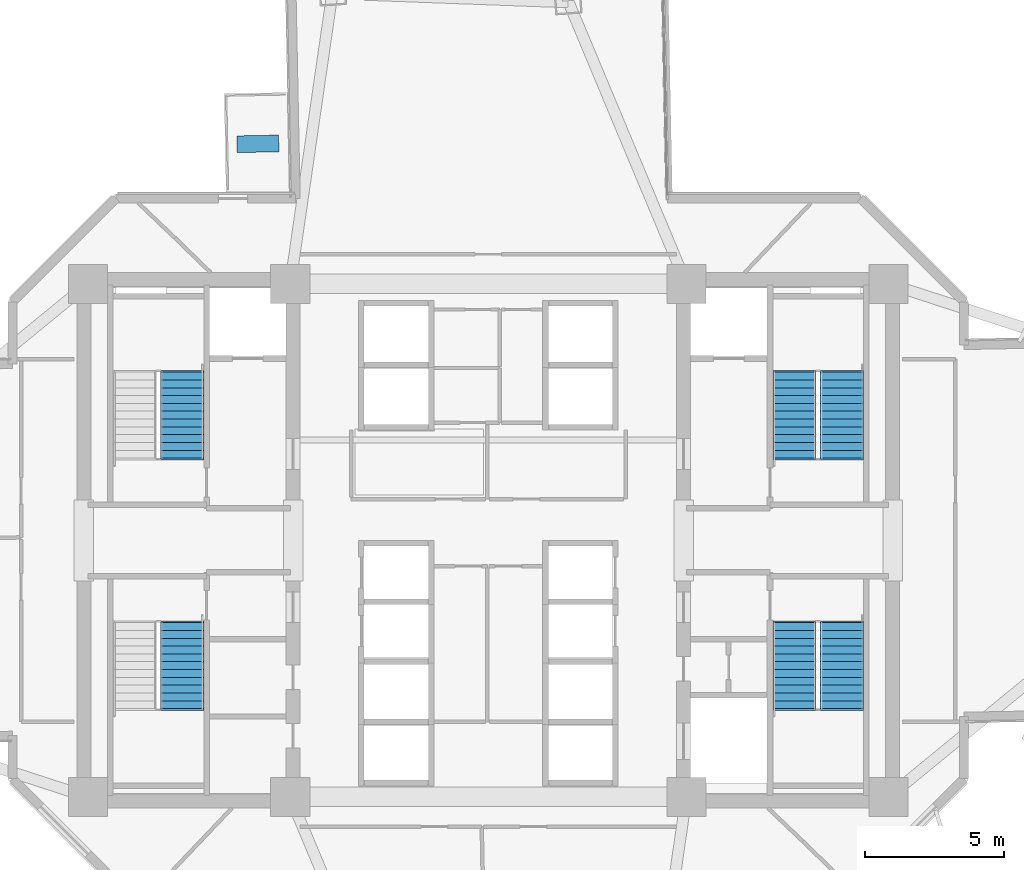
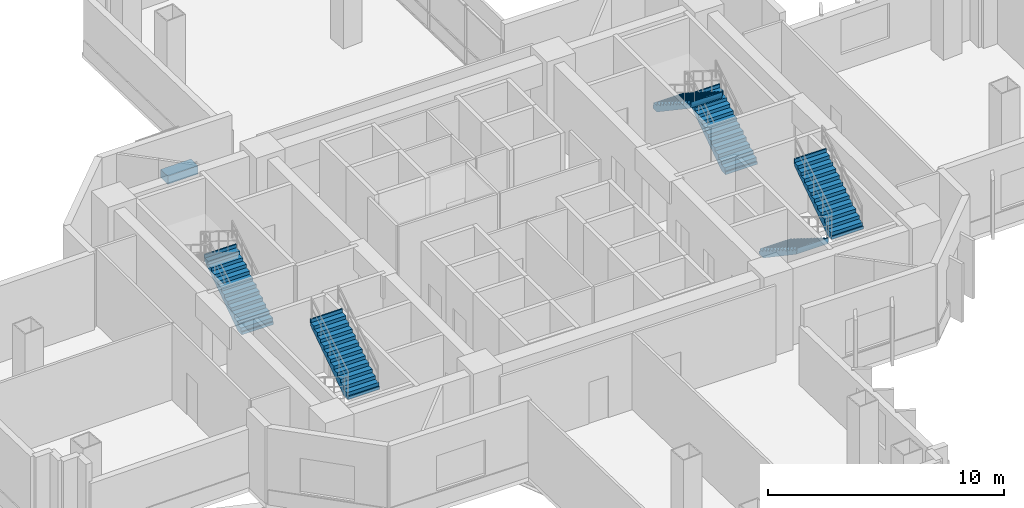
# One storey, part 10 of 15: 6 stair flights, 1 discrete accessory, 4 elements without a shape of their own.
"""IFC4 building model written with IfcOpenShell, lengths in metres."""

from ifc_helpers import new_model, si_unit, direction, frame, origin, origin_2d, place, context, subcontext, project, spatial, polyline, rectangle, outline, extrude, source, transform, mapped, material, type_object, element, aggregate, save


model = new_model("IFC4")

# Units and contexts
model_context = context("Model", 3, precision=1e-05, world=origin(), true_north=direction((0.0, 1.0)))
body_context = subcontext(model_context, "Body", "Model", "MODEL_VIEW")
ifc_project = project(units=[si_unit("LENGTHUNIT", "METRE"), si_unit("AREAUNIT", "SQUARE_METRE"), si_unit("VOLUMEUNIT", "CUBIC_METRE"), si_unit("PLANEANGLEUNIT", "RADIAN"), si_unit("MASSUNIT", "GRAM", prefix="KILO")], contexts=[model_context])

# Site, building, storey
site_placement = place(None, origin())
site = spatial("IfcSite", under=ifc_project, at=site_placement, CompositionType="ELEMENT")
building_placement = place(site_placement, origin())
building = spatial("IfcBuilding", under=site, at=building_placement, Name="Zahravan Cultural Tower", CompositionType="ELEMENT")
storey_placement = place(building_placement, frame((0.0, 0.0, 50.10009765625)))
storey = spatial("IfcBuildingStorey", under=building, at=storey_placement, Name="L10", CompositionType="ELEMENT", Elevation=50.10009765625)

# Stair, stair flight
ifc_material_1 = material(Name="Concrete C45/55", Category="concrete")
stair_type = type_object("IfcStairType", Name="STR-DL-1550-420", PredefinedType="HALF_TURN_STAIR", material=ifc_material_1)
stair_1_placement = place(storey_placement, origin())
stair_1 = element("IfcStair", 1, at=stair_1_placement, inside=storey, type_object=stair_type, Name="L10 West Core North Exit Stair ST-W1", PredefinedType="HALF_TURN_STAIR")
stair_flight_type = type_object("IfcStairFlightType", Name="FLG-DL-1550-420", PredefinedType="STRAIGHT", material=ifc_material_1)
stair_flight_1_placement = place(storey_placement, frame((25.02490234375, 29.949951171875, 0.0), z_axis=(0.0, 0.0, 1.0), x_axis=(0.0, 1.0, 0.0)))
stair_flight_1 = element("IfcStairFlight", 2, at=stair_flight_1_placement, type_object=stair_flight_type, Name="ST-W1 flight 1", NumberOfRisers=12, NumberOfTreads=11, PredefinedType="STRAIGHT", RiserHeight=0.175, TreadLength=0.28, context=body_context, shape_type="SweptSolid", body=[
    extrude(outline(polyline([(-0.06494140625, -0.139892578125), (-0.06494140625, 0.0), (0.0, 0.0), (0.0, 0.175048828125), (0.280029296875, 0.175048828125), (0.280029296875, 0.35009765625), (0.56005859375, 0.35009765625), (0.56005859375, 0.52490234375), (0.840087890625, 0.52490234375), (0.840087890625, 0.699951171875), (1.1201171875, 0.699951171875), (1.1201171875, 0.875), (1.39990234375, 0.875), (1.39990234375, 1.050048828125), (1.679931640625, 1.050048828125), (1.679931640625, 1.22509765625), (1.9599609375, 1.22509765625), (1.9599609375, 1.39990234375), (2.239990234375, 1.39990234375), (2.239990234375, 1.574951171875), (2.52001953125, 1.574951171875), (2.52001953125, 1.75), (2.800048828125, 1.75), (2.800048828125, 1.925048828125), (3.080078125, 1.925048828125), (3.080078125, 2.10009765625), (3.14501953125, 2.10009765625), (3.14501953125, 1.9501953125), (3.080078125, 1.748291015625), (0.28271484375, -0.139892578125), (-0.06494140625, -0.139892578125)])), frame((0.0, 0.77490234375, 0.0), z_axis=(0.0, -1.0, 0.0), x_axis=(1.0, 0.0, 0.0)), (0.0, 0.0, 1.0), 1.550048828125),
])
aggregate(stair_1, [stair_flight_1])

stair_2_placement = place(storey_placement, origin())
stair_2 = element("IfcStair", 3, at=stair_2_placement, inside=storey, type_object=stair_type, Name="L10 West Core South Exit Stair ST-W2", PredefinedType="HALF_TURN_STAIR")
stair_flight_2_placement = place(storey_placement, frame((25.02490234375, 20.969970703125, 2.099853515625), z_axis=(0.0, 0.0, 1.0), x_axis=(0.0, 1.0, 0.0)))
stair_flight_2 = element("IfcStairFlight", 4, at=stair_flight_2_placement, type_object=stair_flight_type, Name="ST-W2 flight 2", NumberOfRisers=12, NumberOfTreads=11, PredefinedType="STRAIGHT", RiserHeight=0.175, TreadLength=0.28, context=body_context, shape_type="SweptSolid", body=[
    extrude(outline(polyline([(-0.06494140625, -0.139892578125), (-0.06494140625, 0.0), (0.0, 0.0), (0.0, 0.175048828125), (0.280029296875, 0.175048828125), (0.280029296875, 0.35009765625), (0.56005859375, 0.35009765625), (0.56005859375, 0.52490234375), (0.840087890625, 0.52490234375), (0.840087890625, 0.699951171875), (1.1201171875, 0.699951171875), (1.1201171875, 0.875), (1.39990234375, 0.875), (1.39990234375, 1.050048828125), (1.679931640625, 1.050048828125), (1.679931640625, 1.22509765625), (1.9599609375, 1.22509765625), (1.9599609375, 1.39990234375), (2.239990234375, 1.39990234375), (2.239990234375, 1.574951171875), (2.52001953125, 1.574951171875), (2.52001953125, 1.75), (2.800048828125, 1.75), (2.800048828125, 1.925048828125), (3.080078125, 1.925048828125), (3.080078125, 2.10009765625), (3.14501953125, 2.10009765625), (3.14501953125, 1.9501953125), (3.080078125, 1.748291015625), (0.28271484375, -0.139892578125), (-0.06494140625, -0.139892578125)])), frame((0.0, 0.77490234375, 0.0), z_axis=(0.0, -1.0, 0.0), x_axis=(1.0, 0.0, 0.0)), (0.0, 0.0, 1.0), 1.550048828125),
])
aggregate(stair_2, [stair_flight_2])

# Stair, stair flights
stair_3_placement = place(storey_placement, origin())
stair_3 = element("IfcStair", 5, at=stair_3_placement, inside=storey, type_object=stair_type, Name="L10 East Core North Exit Stair ST-E1", PredefinedType="HALF_TURN_STAIR")
stair_flight_3_placement = place(storey_placement, frame((48.675048828125, 29.949951171875, 0.0), z_axis=(0.0, 0.0, 1.0), x_axis=(0.0, 1.0, 0.0)))
stair_flight_3 = element("IfcStairFlight", 6, at=stair_flight_3_placement, type_object=stair_flight_type, Name="ST-E1 flight 1", NumberOfRisers=12, NumberOfTreads=11, PredefinedType="STRAIGHT", RiserHeight=0.175, TreadLength=0.28, context=body_context, shape_type="SweptSolid", body=[
    extrude(outline(polyline([(-0.06494140625, -0.139892578125), (-0.06494140625, 0.0), (0.0, 0.0), (0.0, 0.175048828125), (0.280029296875, 0.175048828125), (0.280029296875, 0.35009765625), (0.56005859375, 0.35009765625), (0.56005859375, 0.52490234375), (0.840087890625, 0.52490234375), (0.840087890625, 0.699951171875), (1.1201171875, 0.699951171875), (1.1201171875, 0.875), (1.39990234375, 0.875), (1.39990234375, 1.050048828125), (1.679931640625, 1.050048828125), (1.679931640625, 1.22509765625), (1.9599609375, 1.22509765625), (1.9599609375, 1.39990234375), (2.239990234375, 1.39990234375), (2.239990234375, 1.574951171875), (2.52001953125, 1.574951171875), (2.52001953125, 1.75), (2.800048828125, 1.75), (2.800048828125, 1.925048828125), (3.080078125, 1.925048828125), (3.080078125, 2.10009765625), (3.14501953125, 2.10009765625), (3.14501953125, 1.9501953125), (3.080078125, 1.748291015625), (0.28271484375, -0.139892578125), (-0.06494140625, -0.139892578125)])), frame((0.0, 0.77490234375, 0.0), z_axis=(0.0, -1.0, 0.0), x_axis=(1.0, 0.0, 0.0)), (0.0, 0.0, 1.0), 1.550048828125),
])
stair_flight_4_placement = place(storey_placement, frame((46.97509765625, 33.030029296875, 2.099853515625), z_axis=(0.0, 0.0, 1.0), x_axis=(0.0, -1.0, 0.0)))
stair_flight_4 = element("IfcStairFlight", 7, at=stair_flight_4_placement, type_object=stair_flight_type, Name="ST-E1 flight 2", NumberOfRisers=12, NumberOfTreads=11, PredefinedType="STRAIGHT", RiserHeight=0.175, TreadLength=0.28, context=body_context, shape_type="SweptSolid", body=[
    extrude(outline(polyline([(-0.06494140625, -0.139892578125), (-0.06494140625, 0.0), (0.0, 0.0), (0.0, 0.175048828125), (0.280029296875, 0.175048828125), (0.280029296875, 0.35009765625), (0.56005859375, 0.35009765625), (0.56005859375, 0.52490234375), (0.840087890625, 0.52490234375), (0.840087890625, 0.699951171875), (1.1201171875, 0.699951171875), (1.1201171875, 0.875), (1.39990234375, 0.875), (1.39990234375, 1.050048828125), (1.679931640625, 1.050048828125), (1.679931640625, 1.22509765625), (1.9599609375, 1.22509765625), (1.9599609375, 1.39990234375), (2.239990234375, 1.39990234375), (2.239990234375, 1.574951171875), (2.52001953125, 1.574951171875), (2.52001953125, 1.75), (2.800048828125, 1.75), (2.800048828125, 1.925048828125), (3.080078125, 1.925048828125), (3.080078125, 2.10009765625), (3.14501953125, 2.10009765625), (3.14501953125, 1.9501953125), (3.080078125, 1.748291015625), (0.28271484375, -0.139892578125), (-0.06494140625, -0.139892578125)])), frame((0.0, 0.77490234375, 0.0), z_axis=(0.0, -1.0, 0.0), x_axis=(1.0, 0.0, 0.0)), (0.0, 0.0, 1.0), 1.550048828125),
])
aggregate(stair_3, [stair_flight_3, stair_flight_4])

stair_4_placement = place(storey_placement, origin())
stair_4 = element("IfcStair", 8, at=stair_4_placement, inside=storey, type_object=stair_type, Name="L10 East Core South Exit Stair ST-E2", PredefinedType="HALF_TURN_STAIR")
stair_flight_5_placement = place(storey_placement, frame((46.97509765625, 24.050048828125, 0.0), z_axis=(0.0, 0.0, 1.0), x_axis=(0.0, -1.0, 0.0)))
stair_flight_5 = element("IfcStairFlight", 9, at=stair_flight_5_placement, type_object=stair_flight_type, Name="ST-E2 flight 1", NumberOfRisers=12, NumberOfTreads=11, PredefinedType="STRAIGHT", RiserHeight=0.175, TreadLength=0.28, context=body_context, shape_type="SweptSolid", body=[
    extrude(outline(polyline([(-0.06494140625, -0.139892578125), (-0.06494140625, 0.0), (0.0, 0.0), (0.0, 0.175048828125), (0.280029296875, 0.175048828125), (0.280029296875, 0.35009765625), (0.56005859375, 0.35009765625), (0.56005859375, 0.52490234375), (0.840087890625, 0.52490234375), (0.840087890625, 0.699951171875), (1.1201171875, 0.699951171875), (1.1201171875, 0.875), (1.39990234375, 0.875), (1.39990234375, 1.050048828125), (1.679931640625, 1.050048828125), (1.679931640625, 1.22509765625), (1.9599609375, 1.22509765625), (1.9599609375, 1.39990234375), (2.239990234375, 1.39990234375), (2.239990234375, 1.574951171875), (2.52001953125, 1.574951171875), (2.52001953125, 1.75), (2.800048828125, 1.75), (2.800048828125, 1.925048828125), (3.080078125, 1.925048828125), (3.080078125, 2.10009765625), (3.14501953125, 2.10009765625), (3.14501953125, 1.9501953125), (3.080078125, 1.748291015625), (0.28271484375, -0.139892578125), (-0.06494140625, -0.139892578125)])), frame((0.0, 0.77490234375, 0.0), z_axis=(0.0, -1.0, 0.0), x_axis=(1.0, 0.0, 0.0)), (0.0, 0.0, 1.0), 1.550048828125),
])
stair_flight_6_placement = place(storey_placement, frame((48.675048828125, 20.969970703125, 2.099853515625), z_axis=(0.0, 0.0, 1.0), x_axis=(0.0, 1.0, 0.0)))
stair_flight_6 = element("IfcStairFlight", 10, at=stair_flight_6_placement, type_object=stair_flight_type, Name="ST-E2 flight 2", NumberOfRisers=12, NumberOfTreads=11, PredefinedType="STRAIGHT", RiserHeight=0.175, TreadLength=0.28, context=body_context, shape_type="SweptSolid", body=[
    extrude(outline(polyline([(-0.06494140625, -0.139892578125), (-0.06494140625, 0.0), (0.0, 0.0), (0.0, 0.175048828125), (0.280029296875, 0.175048828125), (0.280029296875, 0.35009765625), (0.56005859375, 0.35009765625), (0.56005859375, 0.52490234375), (0.840087890625, 0.52490234375), (0.840087890625, 0.699951171875), (1.1201171875, 0.699951171875), (1.1201171875, 0.875), (1.39990234375, 0.875), (1.39990234375, 1.050048828125), (1.679931640625, 1.050048828125), (1.679931640625, 1.22509765625), (1.9599609375, 1.22509765625), (1.9599609375, 1.39990234375), (2.239990234375, 1.39990234375), (2.239990234375, 1.574951171875), (2.52001953125, 1.574951171875), (2.52001953125, 1.75), (2.800048828125, 1.75), (2.800048828125, 1.925048828125), (3.080078125, 1.925048828125), (3.080078125, 2.10009765625), (3.14501953125, 2.10009765625), (3.14501953125, 1.9501953125), (3.080078125, 1.748291015625), (0.28271484375, -0.139892578125), (-0.06494140625, -0.139892578125)])), frame((0.0, 0.77490234375, 0.0), z_axis=(0.0, -1.0, 0.0), x_axis=(1.0, 0.0, 0.0)), (0.0, 0.0, 1.0), 1.550048828125),
])
aggregate(stair_4, [stair_flight_5, stair_flight_6])

# Discrete accessory
ifc_material_2 = material(Name="Planted soil and terracotta planter", Category="masonry")
discrete_accessory_type = type_object("IfcDiscreteAccessoryType", Name="ACC-PLANTER-TC", PredefinedType="USERDEFINED", material=ifc_material_2)
shared_shape = source(origin(), body_context, "Body", "SweptSolid", [
    extrude(rectangle(XDim=1.5, YDim=0.60009765625, at=origin_2d()), origin(), (0.0, 0.0, 1.0), 0.419921875),
])
discrete_accessory_placement = place(storey_placement, frame((27.738037109375, 41.21728515625, 0.0), z_axis=(0.0, 0.0, 1.0), x_axis=(0.999802066131, 0.019895440708, 0.0)))
element("IfcDiscreteAccessory", 11, at=discrete_accessory_placement, inside=storey, type_object=discrete_accessory_type, Name="L10 Terracotta Sculpture Planter NW", ObjectType="PLANTER", PredefinedType="USERDEFINED", context=body_context, shape_type="MappedRepresentation", body=[
    mapped(shared_shape, transform((0.0, 0.0, 0.0), x_axis=(1.0, 0.0, 0.0), y_axis=(0.0, 1.0, 0.0), z_axis=(0.0, 0.0, 1.0), scale=1.0)),
])

save(model, "model.ifc")
